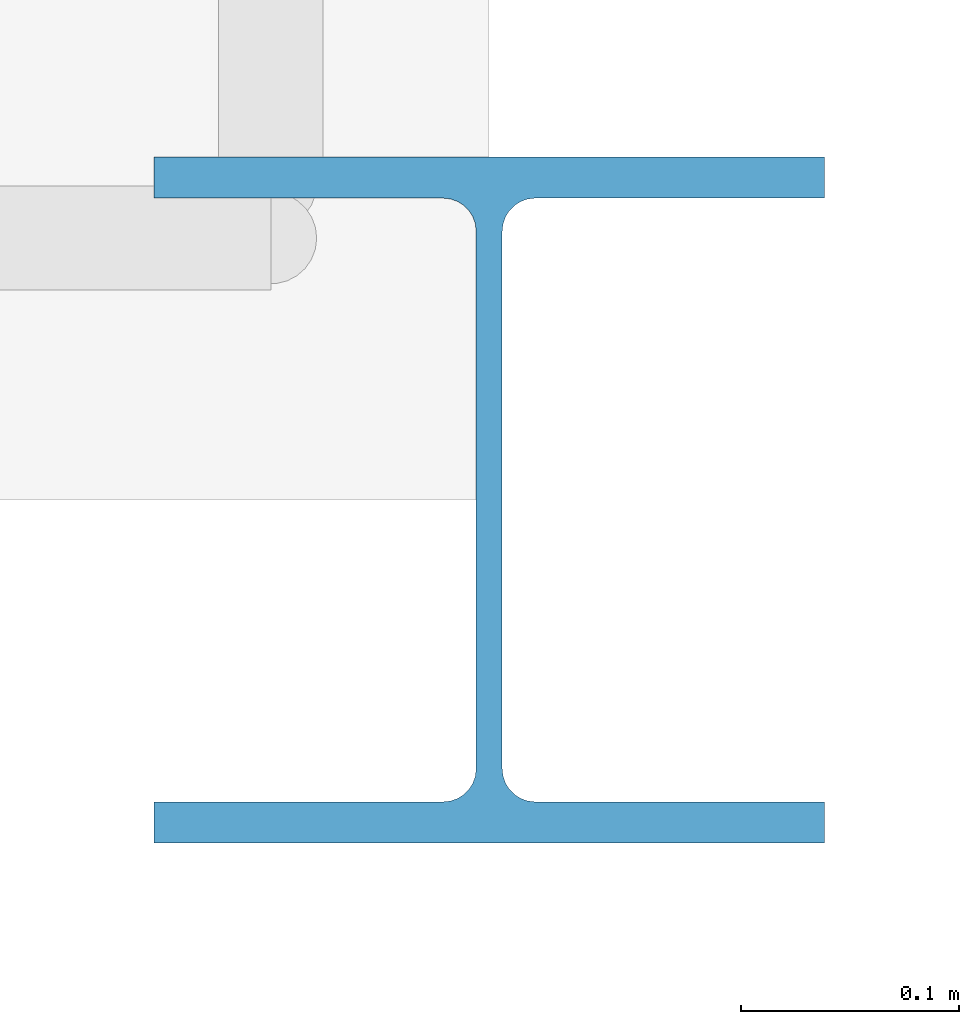
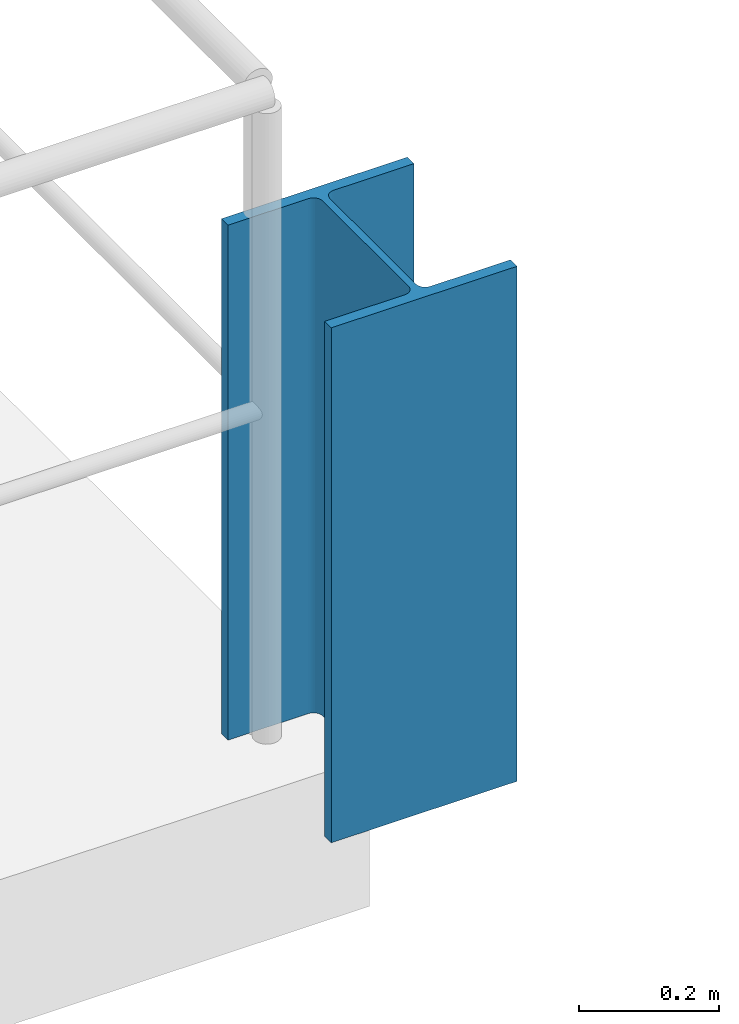
# One storey, part 4 of 97: 1 column.
"""IFC4 building model written with IfcOpenShell, lengths in metres."""

from ifc_helpers import new_model, si_unit, derived_unit, direction, frame, origin, origin_2d, place, context, subcontext, project, spatial, i_section, extrude, material, material_profile, profile_set, type_object, element, save


model = new_model("IFC4")

# Units and contexts
model_context = context("Model", 3, precision=1e-05, world=origin(), true_north=direction((0.0, 1.0)))
body_context = subcontext(model_context, "Body", "Model", "MODEL_VIEW")
ifc_project = project(units=[si_unit("LENGTHUNIT", "METRE"), si_unit("AREAUNIT", "SQUARE_METRE"), si_unit("VOLUMEUNIT", "CUBIC_METRE"), si_unit("PLANEANGLEUNIT", "RADIAN"), si_unit("MASSUNIT", "GRAM", prefix="KILO"), derived_unit("THERMALTRANSMITTANCEUNIT", [(si_unit("POWERUNIT", "WATT"), 1), (si_unit("LENGTHUNIT", "METRE"), -2), (si_unit("THERMODYNAMICTEMPERATUREUNIT", "KELVIN"), -1)])], contexts=[model_context])

# Site, building, storey
site_placement = place(None, origin())
site = spatial("IfcSite", under=ifc_project, at=site_placement, CompositionType="ELEMENT")
building_placement = place(site_placement, origin())
building = spatial("IfcBuilding", under=site, at=building_placement, Name="Almenara Railside Exhibition Hall", CompositionType="ELEMENT")
storey_placement = place(building_placement, frame((0.0, 0.0, 10.800048828125)))
storey = spatial("IfcBuildingStorey", under=building, at=storey_placement, Name="L02", CompositionType="ELEMENT", Elevation=10.800048828125)

# Column
ifc_material = material(Name="Structural steel S355JR", Category="steel")
ifc_material_profile = material_profile(ifc_material, i_section(OverallWidth=0.307373046875, OverallDepth=0.314453125, WebThickness=0.011962890625, FlangeThickness=0.018798828125, FilletRadius=0.01513671875, at=origin_2d()), Name="UC 305x305x118")
ifc_profile_set = profile_set([ifc_material_profile], Name="Structural steel S355JR")
column_type = type_object("IfcColumnType", Name="Steel Column UC 305x305x118 S355JR", PredefinedType="COLUMN", material=ifc_profile_set)
column_placement = place(storey_placement, frame((66.0, 0.0, 0.0), z_axis=(0.0, 0.0, 1.0), x_axis=(1.0, 0.0, 0.0)))
element("IfcColumn", 1, at=column_placement, inside=storey, type_object=column_type, Name="Column 0187", PredefinedType="COLUMN", context=body_context, shape_type="SweptSolid", body=[
    extrude(i_section(OverallWidth=0.307373046875, OverallDepth=0.314453125, WebThickness=0.011962890625, FlangeThickness=0.018798828125, FilletRadius=0.01513671875, at=origin_2d()), origin(), (0.0, 0.0, 1.0), 0.89990234375),
])

save(model, "model.ifc")
